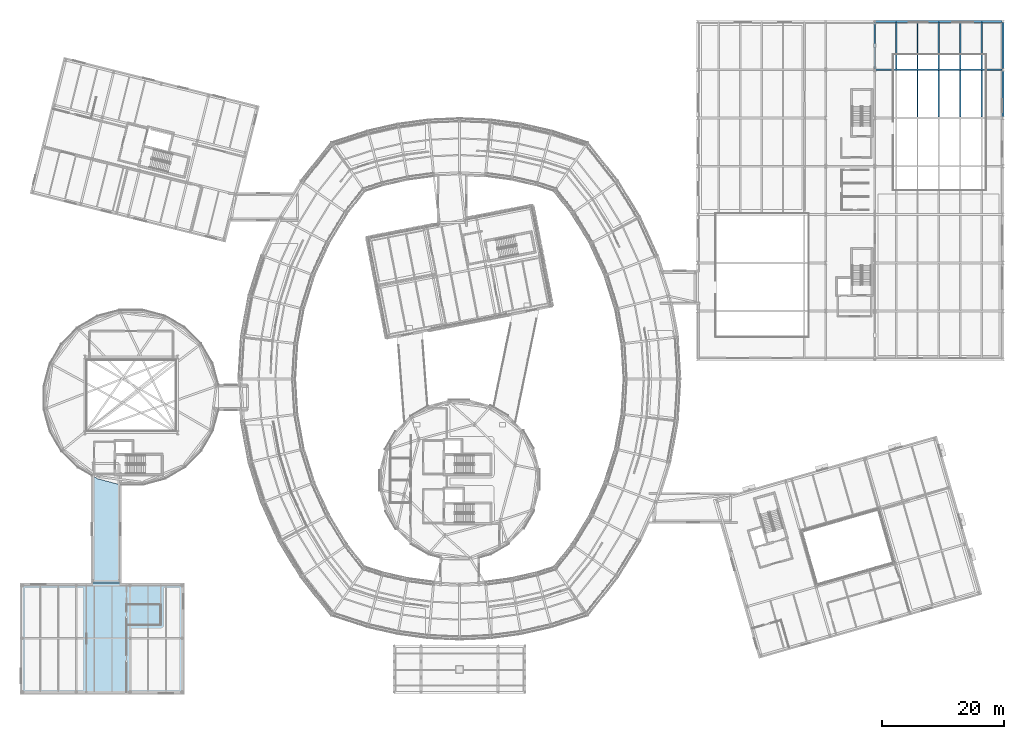
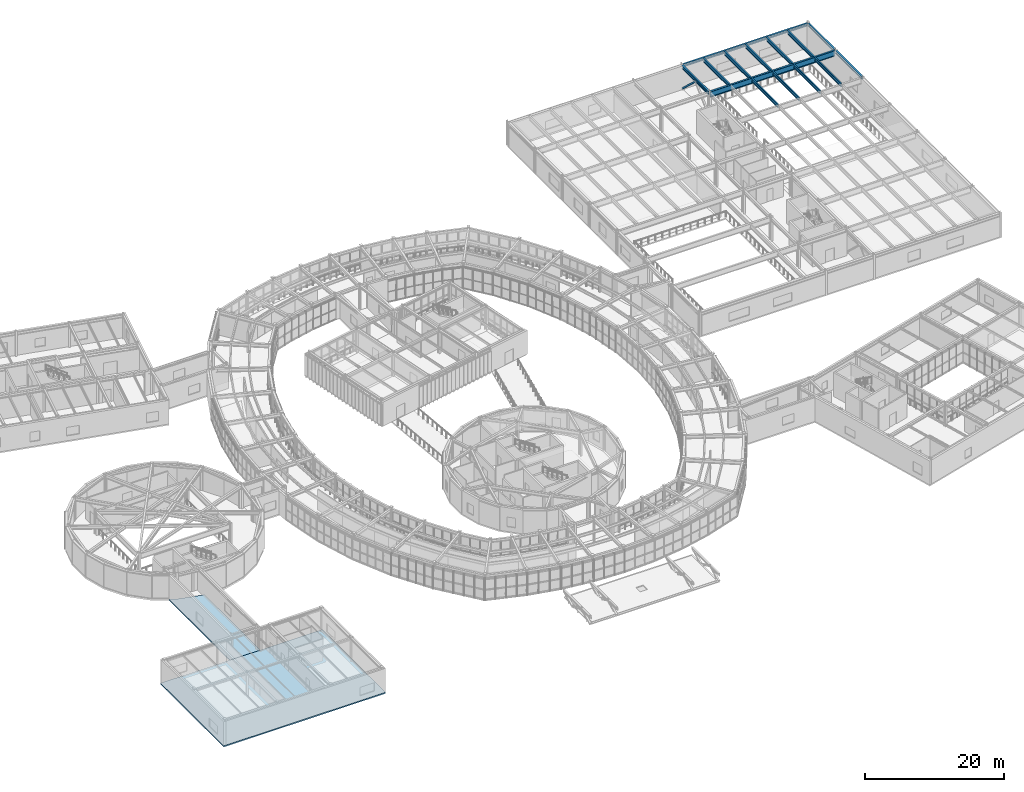
# One storey, part 55 of 103: 14 beams, 2 slabs, 1 member.
"""IFC4 building model written with IfcOpenShell, lengths in metres."""

from ifc_helpers import new_model, si_unit, direction, frame, origin, origin_2d, place, context, subcontext, project, spatial, polyline, hollow_rectangle, i_section, outline, extrude, material, layer, layer_set, material_profile, profile_set, type_object, element, save


model = new_model("IFC4")

# Units and contexts
model_context = context("Model", 3, precision=1e-05, world=origin(), true_north=direction((0.0, 1.0)))
body_context = subcontext(model_context, "Body", "Model", "MODEL_VIEW")
ifc_project = project(units=[si_unit("LENGTHUNIT", "METRE"), si_unit("AREAUNIT", "SQUARE_METRE"), si_unit("VOLUMEUNIT", "CUBIC_METRE"), si_unit("PLANEANGLEUNIT", "RADIAN"), si_unit("MASSUNIT", "GRAM", prefix="KILO")], contexts=[model_context])

# Site, building, storey
site_placement = place(None, origin())
site = spatial("IfcSite", under=ifc_project, at=site_placement, CompositionType="ELEMENT")
building_placement = place(site_placement, origin())
building = spatial("IfcBuilding", under=site, at=building_placement, Name="Varnklinge Art Gallery", CompositionType="ELEMENT")
storey_placement = place(building_placement, frame((0.0, 0.0, 5.10009765625)))
storey = spatial("IfcBuildingStorey", under=building, at=storey_placement, Name="L01", CompositionType="ELEMENT", Elevation=5.10009765625)

# Beams
ifc_material_1 = material(Name="Steel S355", Category="steel")
ifc_material_profile_1 = material_profile(ifc_material_1, i_section(OverallWidth=0.300048828125, OverallDepth=1.0, WebThickness=0.01904296875, FlangeThickness=0.035888671875, FilletRadius=0.030029296875, at=origin_2d()), Name="HEB 1000")
ifc_profile_set_1 = profile_set([ifc_material_profile_1], Name="Steel S355")
beam_type_1 = type_object("IfcBeamType", Name="BM-01", PredefinedType="BEAM", material=ifc_profile_set_1)
beam_1_placement = place(storey_placement, frame((143.5400390625, 105.60009765625, 3.669921875), z_axis=(1.0, 0.0, 0.0), x_axis=(0.0, 1.0, 0.0)))
element("IfcBeam", 1, at=beam_1_placement, inside=storey, type_object=beam_type_1, Name="L01 BM-01 BM-V1-L02-X6-2", PredefinedType="BEAM", context=body_context, shape_type="SweptSolid", body=[
    extrude(i_section(OverallWidth=0.300048828125, OverallDepth=1.0, WebThickness=0.01904296875, FlangeThickness=0.035888671875, FilletRadius=0.030029296875, at=origin_2d()), origin(), (0.0, 0.0, 1.0), 20.719970703125),
])
ifc_material_2 = material(Name="Steel S355", Category="steel")
ifc_material_profile_2 = material_profile(ifc_material_2, i_section(OverallWidth=0.300048828125, OverallDepth=0.60009765625, WebThickness=0.015380859375, FlangeThickness=0.030029296875, FilletRadius=0.027099609375, at=origin_2d()), Name="HEB 600")
ifc_profile_set_2 = profile_set([ifc_material_profile_2], Name="Steel S355")
beam_type_2 = type_object("IfcBeamType", Name="BM-05", PredefinedType="BEAM", material=ifc_profile_set_2)
beam_2_placement = place(storey_placement, frame((143.39990234375, 105.739990234375, 3.869873046875), z_axis=(0.0, 1.0, 0.0), x_axis=(-1.0, 0.0, 0.0)))
element("IfcBeam", 2, at=beam_2_placement, inside=storey, type_object=beam_type_2, Name="L01 BM-05 BM-V1-L02-Y2-6", PredefinedType="BEAM", context=body_context, shape_type="SweptSolid", body=[
    extrude(i_section(OverallWidth=0.300048828125, OverallDepth=0.60009765625, WebThickness=0.015380859375, FlangeThickness=0.030029296875, FilletRadius=0.027099609375, at=origin_2d()), origin(), (0.0, 0.0, 1.0), 7.6201171875),
])

# Member
ifc_material_3 = material(Name="Steel S355", Category="steel")
ifc_material_profile_3 = material_profile(ifc_material_3, hollow_rectangle(XDim=0.25, YDim=0.25, WallThickness=0.012451171875, at=origin_2d()), Name="SHS 250x250x12.5")
ifc_profile_set_3 = profile_set([ifc_material_profile_3], Name="Steel S355")
member_type = type_object("IfcMemberType", Name="BRC-04", PredefinedType="BRACE", material=ifc_profile_set_3)
member_placement = place(storey_placement, frame((143.39990234375, 113.340087890625, 0.02001953125), z_axis=(0.0, -0.72985967862, 0.683596993502), x_axis=(1.0, 0.0, 0.0)))
element("IfcMember", 3, at=member_placement, inside=storey, type_object=member_type, Name="L01 Braced Frame V1E-B6 Diagonal B", PredefinedType="BRACE", context=body_context, shape_type="SweptSolid", body=[
    extrude(hollow_rectangle(XDim=0.25, YDim=0.25, WallThickness=0.012451171875, at=origin_2d()), origin(), (0.0, 0.0, 1.0), 5.19287109375),
])

# Beams
ifc_material_4 = material(Name="Steel S355", Category="steel")
ifc_material_profile_4 = material_profile(ifc_material_4, i_section(OverallWidth=0.219970703125, OverallDepth=0.60009765625, WebThickness=0.011962890625, FlangeThickness=0.01904296875, FilletRadius=0.02392578125, at=origin_2d()), Name="IPE 600")
ifc_profile_set_4 = profile_set([ifc_material_profile_4], Name="Steel S355")
beam_type_3 = type_object("IfcBeamType", Name="JST-01", PredefinedType="JOIST", material=ifc_profile_set_4)
for number, where, z_axis, x_axis, name in (
    (4, (150.39990234375, 97.840087890625, 3.869873046875), (0.0, 1.0, 0.0), (-1.0, 0.0, 0.0), "L01 JST-01 JST-V1-L02-5-1-2"),
    (5, (153.89990234375, 97.840087890625, 3.869873046875), (0.0, 1.0, 0.0), (-1.0, 0.0, 0.0), "L01 JST-01 JST-V1-L02-5-1-3"),
    (6, (157.39990234375, 97.840087890625, 3.869873046875), (0.0, 1.0, 0.0), (-1.0, 0.0, 0.0), "L01 JST-01 JST-V1-L02-5-1-4"),
    (7, (160.89990234375, 97.840087890625, 3.869873046875), (0.0, 1.0, 0.0), (-1.0, 0.0, 0.0), "L01 JST-01 JST-V1-L02-5-1-5"),
):
    element("IfcBeam", number, at=place(storey_placement, frame(where, z_axis=z_axis, x_axis=x_axis)), inside=storey, type_object=beam_type_3, Name=name, PredefinedType="JOIST", context=body_context, shape_type="SweptSolid", body=[
        extrude(i_section(OverallWidth=0.219970703125, OverallDepth=0.60009765625, WebThickness=0.011962890625, FlangeThickness=0.01904296875, FilletRadius=0.02392578125, at=origin_2d()), origin(), (0.0, 0.0, 1.0), 7.619873046875),
    ])
for number, where, z_axis, x_axis, name in (
    (8, (146.89990234375, 105.739990234375, 3.869873046875), (0.0, 1.0, 0.0), (-1.0, 0.0, 0.0), "L01 JST-01 JST-V1-L02-6-1-1"),
    (9, (150.39990234375, 105.739990234375, 3.869873046875), (0.0, 1.0, 0.0), (-1.0, 0.0, 0.0), "L01 JST-01 JST-V1-L02-6-1-2"),
    (10, (153.89990234375, 105.739990234375, 3.869873046875), (0.0, 1.0, 0.0), (-1.0, 0.0, 0.0), "L01 JST-01 JST-V1-L02-6-1-3"),
    (11, (157.39990234375, 105.739990234375, 3.869873046875), (0.0, 1.0, 0.0), (-1.0, 0.0, 0.0), "L01 JST-01 JST-V1-L02-6-1-4"),
    (12, (160.89990234375, 105.739990234375, 3.869873046875), (0.0, 1.0, 0.0), (-1.0, 0.0, 0.0), "L01 JST-01 JST-V1-L02-6-1-5"),
):
    element("IfcBeam", number, at=place(storey_placement, frame(where, z_axis=z_axis, x_axis=x_axis)), inside=storey, type_object=beam_type_3, Name=name, PredefinedType="JOIST", context=body_context, shape_type="SweptSolid", body=[
        extrude(i_section(OverallWidth=0.219970703125, OverallDepth=0.60009765625, WebThickness=0.011962890625, FlangeThickness=0.01904296875, FilletRadius=0.02392578125, at=origin_2d()), origin(), (0.0, 0.0, 1.0), 7.6201171875),
    ])
ifc_material_5 = material(Name="Steel S355", Category="steel")
ifc_material_profile_5 = material_profile(ifc_material_5, i_section(OverallWidth=0.300048828125, OverallDepth=0.489990234375, WebThickness=0.011962890625, FlangeThickness=0.02294921875, FilletRadius=0.027099609375, at=origin_2d()), Name="HEA 500")
ifc_profile_set_5 = profile_set([ifc_material_profile_5], Name="Steel S355")
beam_type_4 = type_object("IfcBeamType", Name="SPB-01", PredefinedType="SPANDREL", material=ifc_profile_set_5)
beam_3_placement = place(storey_placement, frame((143.5400390625, 113.5, 3.9248046875), z_axis=(1.0, 0.0, 0.0), x_axis=(0.0, 1.0, 0.0)))
element("IfcBeam", 13, at=beam_3_placement, inside=storey, type_object=beam_type_4, Name="L01 SPB-01 BM-V1-L02-X7-2", PredefinedType="SPANDREL", context=body_context, shape_type="SweptSolid", body=[
    extrude(i_section(OverallWidth=0.300048828125, OverallDepth=0.489990234375, WebThickness=0.011962890625, FlangeThickness=0.02294921875, FilletRadius=0.027099609375, at=origin_2d()), origin(), (0.0, 0.0, 1.0), 20.719970703125),
])
beam_4_placement = place(storey_placement, frame((164.39990234375, 97.840087890625, 3.9248046875), z_axis=(0.0, 1.0, 0.0), x_axis=(-1.0, 0.0, 0.0)))
element("IfcBeam", 14, at=beam_4_placement, inside=storey, type_object=beam_type_4, Name="L01 SPB-01 BM-V1-L02-Y3-5", PredefinedType="SPANDREL", context=body_context, shape_type="SweptSolid", body=[
    extrude(i_section(OverallWidth=0.300048828125, OverallDepth=0.489990234375, WebThickness=0.011962890625, FlangeThickness=0.02294921875, FilletRadius=0.027099609375, at=origin_2d()), origin(), (0.0, 0.0, 1.0), 7.619873046875),
])
beam_5_placement = place(storey_placement, frame((164.39990234375, 105.739990234375, 3.9248046875), z_axis=(0.0, 1.0, 0.0), x_axis=(-1.0, 0.0, 0.0)))
element("IfcBeam", 15, at=beam_5_placement, inside=storey, type_object=beam_type_4, Name="L01 SPB-01 BM-V1-L02-Y3-6", PredefinedType="SPANDREL", context=body_context, shape_type="SweptSolid", body=[
    extrude(i_section(OverallWidth=0.300048828125, OverallDepth=0.489990234375, WebThickness=0.011962890625, FlangeThickness=0.02294921875, FilletRadius=0.027099609375, at=origin_2d()), origin(), (0.0, 0.0, 1.0), 7.6201171875),
])

# Slabs
ifc_material_6 = material(Name="Concrete C35/45", Category="concrete")
ifc_layer = layer(ifc_material_6, 0.219970703125)
ifc_layer_set = layer_set([ifc_layer], Name="Concrete C35/45")
slab_type = type_object("IfcSlabType", Name="SLB-F22", PredefinedType="FLOOR", material=ifc_layer_set)
slab_1_placement = place(storey_placement, frame((0.0, 0.0, -0.22021484375)))
element("IfcSlab", 16, at=slab_1_placement, inside=storey, type_object=slab_type, Name="L01 SW Cafe and Bookshop Pavilion Slab", PredefinedType="FLOOR", context=body_context, shape_type="SweptSolid", body=[
    extrude(outline(polyline([(30.5, 3.39990234375), (30.5, 21.60009765625), (3.60009765625, 21.60009765625), (3.60009765625, 3.39990234375), (30.5, 3.39990234375)])), origin(), (0.0, 0.0, 1.0), 0.22021484375),
])
slab_2_placement = place(storey_placement, frame((0.0, 0.0, -0.22021484375)))
element("IfcSlab", 17, at=slab_2_placement, inside=storey, type_object=slab_type, Name="L01 LNK-SW Gallery Link Slab", PredefinedType="FLOOR", context=body_context, shape_type="SweptSolid", body=[
    extrude(outline(polyline([(20.199951171875, 37.72314453125), (19.92041015625, 37.72314453125), (16.289306640625, 38.696044921875), (15.199951171875, 39.3251953125), (15.199951171875, 21.60009765625), (20.199951171875, 21.60009765625), (20.199951171875, 37.72314453125)])), origin(), (0.0, 0.0, 1.0), 0.22021484375),
])

save(model, "model.ifc")
